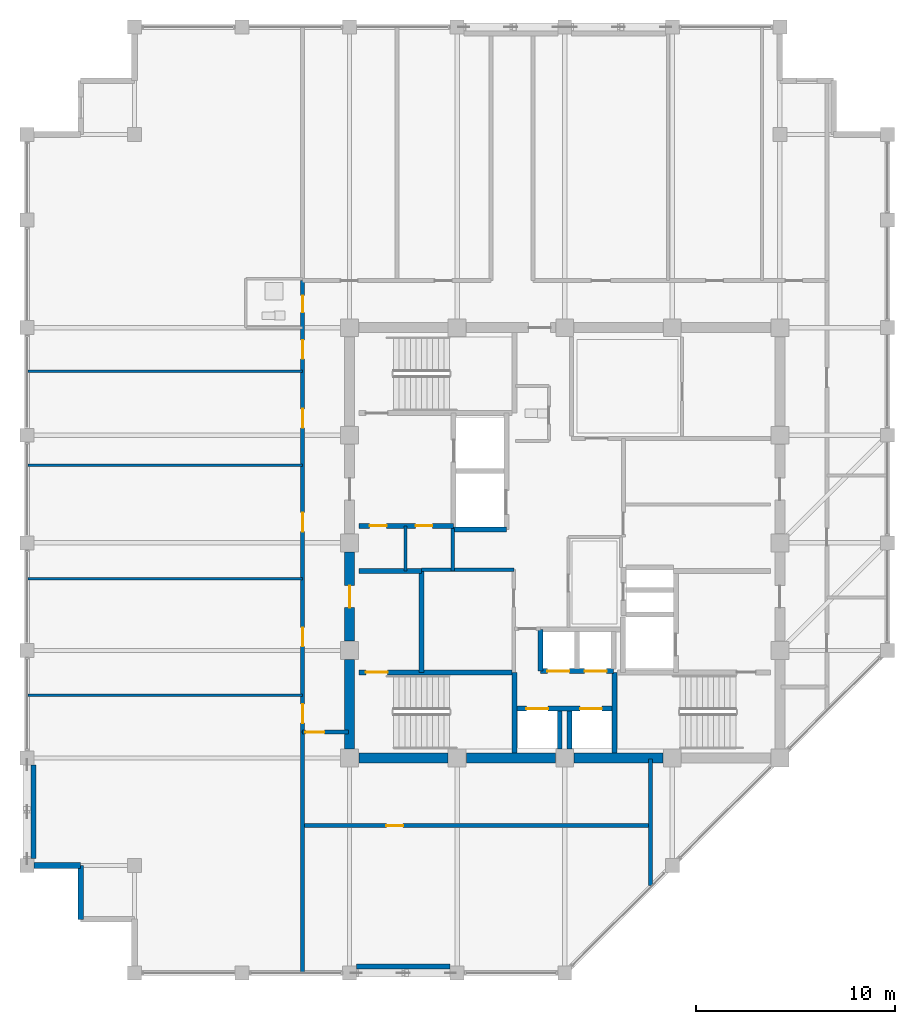
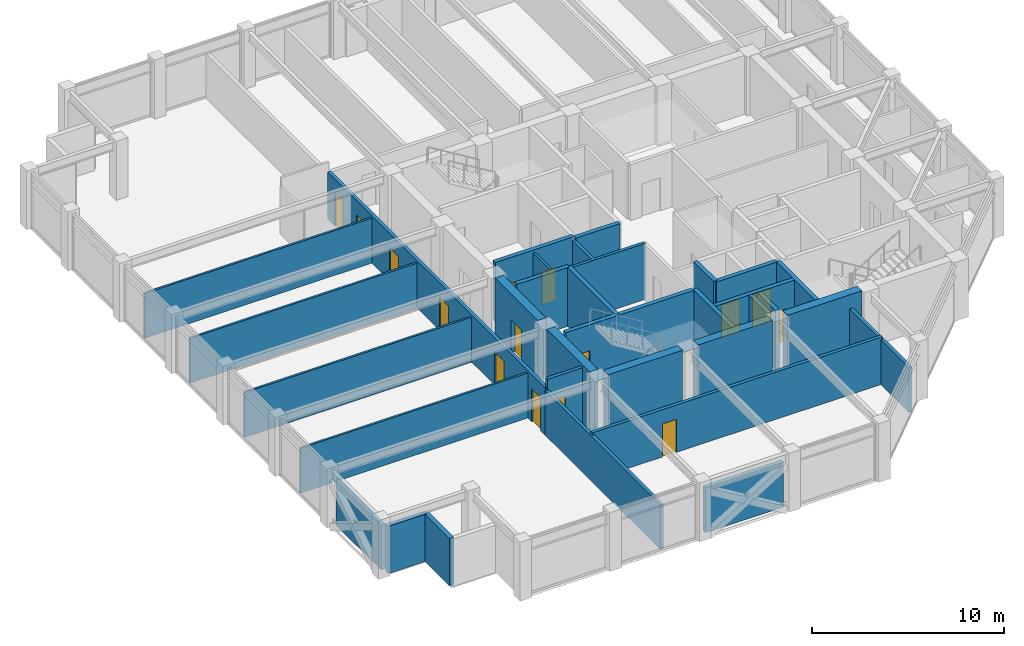
# One storey, part 26 of 31: 33 walls, 16 doors, 16 openings.
"""IFC4 building model written with IfcOpenShell, lengths in metres."""

from ifc_helpers import new_model, si_unit, direction, frame, frame_2d, origin, place, context, subcontext, project, spatial, rectangle, extrude, material, layer, layer_set, type_object, element, fill, save


model = new_model("IFC4")

# Units and contexts
model_context = context("Model", 3, precision=1e-05, world=origin(), true_north=direction((0.0, 1.0)))
body_context = subcontext(model_context, "Body", "Model", "MODEL_VIEW")
ifc_project = project(units=[si_unit("LENGTHUNIT", "METRE"), si_unit("AREAUNIT", "SQUARE_METRE"), si_unit("VOLUMEUNIT", "CUBIC_METRE"), si_unit("PLANEANGLEUNIT", "RADIAN"), si_unit("MASSUNIT", "GRAM", prefix="KILO")], contexts=[model_context])

# Site, building, storey
site_placement = place(None, origin())
site = spatial("IfcSite", under=ifc_project, at=site_placement, CompositionType="ELEMENT")
building_placement = place(site_placement, origin())
building = spatial("IfcBuilding", under=site, at=building_placement, Name="Surkhivell Harbour Commons", CompositionType="ELEMENT")
storey_placement = place(building_placement, frame((0.0, 0.0, 288.75)))
storey = spatial("IfcBuildingStorey", under=building, at=storey_placement, Name="L75", CompositionType="ELEMENT", Elevation=288.75)

# Walls
ifc_material_1 = material(Name="Concrete C50/60", Category="concrete")
ifc_layer_1 = layer(ifc_material_1, 0.5)
ifc_layer_set_1 = layer_set([ifc_layer_1], Name="Concrete C50/60")
wall_type_1 = type_object("IfcWallType", Name="WAL-CORE-500", PredefinedType="SHEAR", material=ifc_layer_set_1)
for number, where, z_axis, x_axis, name in (
    (1, (-10.340087890625, -10.800048828125, 0.0), (0.0, 0.0, 1.0), (1.0, 0.0, 0.0), "L75 Core Shear Wall South 1"),
    (2, (-10.800048828125, -10.340087890625, 0.0), (0.0, 0.0, 1.0), (0.0, 1.0, 0.0), "L75 Core Shear Wall West 1"),
    (3, (-4.93994140625, -10.800048828125, 0.0), (0.0, 0.0, 1.0), (1.0, 0.0, 0.0), "L75 Core Shear Wall South 2"),
):
    element("IfcWall", number, at=place(storey_placement, frame(where, z_axis=z_axis, x_axis=x_axis)), inside=storey, type_object=wall_type_1, Name=name, PredefinedType="SHEAR", context=body_context, shape_type="SweptSolid", body=[
        extrude(rectangle(XDim=4.47998046875, YDim=0.5, at=frame_2d((2.239990234375, 0.0))), origin(), (0.0, 0.0, 1.0), 3.75),
    ])

# Wall, opening, door
wall_1_placement = place(storey_placement, frame((-10.800048828125, -4.93994140625, 0.0), z_axis=(0.0, 0.0, 1.0), x_axis=(0.0, 1.0, 0.0)))
wall_1 = element("IfcWall", 4, at=wall_1_placement, inside=storey, type_object=wall_type_1, Name="L75 Core Shear Wall West 2", PredefinedType="SHEAR", context=body_context, shape_type="SweptSolid", body=[
    extrude(rectangle(XDim=4.47998046875, YDim=0.5, at=frame_2d((2.239990234375, 0.0))), origin(), (0.0, 0.0, 1.0), 3.75),
])
opening_1_placement = place(wall_1_placement, frame((1.68994140625, 0.0, 0.0)))
opening_1 = element("IfcOpeningElement", 5, at=opening_1_placement, cuts=wall_1, Name="Opening ID-2", PredefinedType="OPENING", context=body_context, shape_type="SweptSolid", body=[
    extrude(rectangle(XDim=1.10009765625, YDim=2.10009765625, at=frame_2d((0.550048828125, 1.050048828125))), frame((0.0, 0.260009765625, 0.0), z_axis=(0.0, -1.0, 0.0), x_axis=(1.0, 0.0, 0.0)), (0.0, 0.0, 1.0), 0.52001953125),
])
ifc_material_2 = material(Name="Hardwood-veneered fire-rated door leaf", Category="wood")
door_type_1 = type_object("IfcDoorType", Name="DOR-FD60-1100", OperationType="NOTDEFINED", PredefinedType="DOOR", material=ifc_material_2)
door_1_placement = place(opening_1_placement, origin())
door_1 = element("IfcDoor", 6, at=door_1_placement, inside=storey, type_object=door_type_1, Name="L75 Stair 3 Lobby Corridor Door", OperationType="SINGLE_SWING_LEFT", OverallHeight=2.10009765625, OverallWidth=1.10009765625, PredefinedType="DOOR", context=body_context, shape_type="SweptSolid", body=[
    extrude(rectangle(XDim=1.10009765625, YDim=2.10009765625, at=frame_2d((0.550048828125, 1.050048828125))), frame((0.0, 0.02490234375, 0.0), z_axis=(0.0, -1.0, 0.0), x_axis=(1.0, 0.0, 0.0)), (0.0, 0.0, 1.0), 0.050048828125),
])
fill(opening_1, door_1)

# Walls
wall_2_placement = place(storey_placement, frame((0.4599609375, -10.800048828125, 0.0), z_axis=(0.0, 0.0, 1.0), x_axis=(1.0, 0.0, 0.0)))
element("IfcWall", 7, at=wall_2_placement, inside=storey, type_object=wall_type_1, Name="L75 Core Shear Wall South 3", PredefinedType="SHEAR", context=body_context, shape_type="SweptSolid", body=[
    extrude(rectangle(XDim=4.47998046875, YDim=0.5, at=frame_2d((2.239990234375, 0.0))), origin(), (0.0, 0.0, 1.0), 3.75),
])
ifc_material_3 = material(Name="Pale-metal insulated precast concrete C45/55", Category="concrete")
ifc_layer_2 = layer(ifc_material_3, 0.260009765625)
ifc_layer_set_2 = layer_set([ifc_layer_2], Name="Pale-metal insulated precast concrete C45/55")
wall_type_2 = type_object("IfcWallType", Name="WAL-EXT-MTL260", PredefinedType="STANDARD", material=ifc_layer_set_2)
wall_3_placement = place(storey_placement, frame((-10.451904296875, -21.264892578125, 0.0), z_axis=(0.0, 0.0, 1.0), x_axis=(1.0, 0.0, 0.0)))
element("IfcWall", 8, at=wall_3_placement, inside=storey, type_object=wall_type_2, Name="L75 Braced-Bay Insulated Spandrel Backing S", PredefinedType="STANDARD", context=body_context, shape_type="SweptSolid", body=[
    extrude(rectangle(XDim=4.703857421875, YDim=0.260009765625, at=frame_2d((2.35205078125, 0.0))), origin(), (0.0, 0.0, 1.0), 2.85693359375),
])
wall_4_placement = place(storey_placement, frame((-26.6650390625, -11.14794921875, 0.0), z_axis=(0.0, 0.0, 1.0), x_axis=(0.0, -1.0, 0.0)))
element("IfcWall", 9, at=wall_4_placement, inside=storey, type_object=wall_type_2, Name="L75 Braced-Bay Insulated Spandrel Backing W", PredefinedType="STANDARD", context=body_context, shape_type="SweptSolid", body=[
    extrude(rectangle(XDim=4.7041015625, YDim=0.260009765625, at=frame_2d((2.35205078125, 0.0))), origin(), (0.0, 0.0, 1.0), 2.85693359375),
])
ifc_material_4 = material(Name="Terracotta-clad reinforced concrete C45/55", Category="masonry")
ifc_layer_3 = layer(ifc_material_4, 0.280029296875)
ifc_layer_set_3 = layer_set([ifc_layer_3], Name="Terracotta-clad reinforced concrete C45/55")
wall_type_3 = type_object("IfcWallType", Name="WAL-EXT-TER280", PredefinedType="STANDARD", material=ifc_layer_set_3)
wall_5_placement = place(storey_placement, frame((-26.652099609375, -16.199951171875, 0.0), z_axis=(0.0, 0.0, 1.0), x_axis=(1.0, 0.0, 0.0)))
element("IfcWall", 10, at=wall_5_placement, inside=storey, type_object=wall_type_3, Name="L75 Serrated Corner Facade Wall 13", PredefinedType="STANDARD", context=body_context, shape_type="SweptSolid", body=[
    extrude(rectangle(XDim=2.35205078125, YDim=0.280029296875, at=frame_2d((1.176025390625, 0.0))), origin(), (0.0, 0.0, 1.0), 3.012939453125),
])
wall_6_placement = place(storey_placement, frame((-24.300048828125, -16.199951171875, 0.0), z_axis=(0.0, 0.0, 1.0), x_axis=(0.0, -1.0, 0.0)))
element("IfcWall", 11, at=wall_6_placement, inside=storey, type_object=wall_type_3, Name="L75 Serrated Corner Facade Wall 14", PredefinedType="STANDARD", context=body_context, shape_type="SweptSolid", body=[
    extrude(rectangle(XDim=2.699951171875, YDim=0.280029296875, at=frame_2d((1.35009765625, 0.0))), origin(), (0.0, 0.0, 1.0), 3.012939453125),
])
ifc_material_5 = material(Name="Moisture-resistant acoustic stud partition", Category="other")
ifc_layer_4 = layer(ifc_material_5, 0.125)
ifc_layer_set_4 = layer_set([ifc_layer_4], Name="Moisture-resistant acoustic stud partition")
wall_type_4 = type_object("IfcWallType", Name="WAL-INT-125", PredefinedType="PARTITIONING", material=ifc_layer_set_4)
for number, where, z_axis, x_axis, name in (
    (12, (-26.93994140625, -1.800048828125, 0.0), (0.0, 0.0, 1.0), (1.0, 0.0, 0.0), "L75 West Partition BDP1"),
    (13, (-26.93994140625, 3.889892578125, 0.0), (0.0, 0.0, 1.0), (1.0, 0.0, 0.0), "L75 West Partition BDP2"),
    (14, (-26.93994140625, -7.64990234375, 0.0), (0.0, 0.0, 1.0), (1.0, 0.0, 0.0), "L75 West Partition PBOT"),
    (15, (-26.93994140625, 8.610107421875, 0.0), (0.0, 0.0, 1.0), (1.0, 0.0, 0.0), "L75 West Partition PTOP"),
):
    element("IfcWall", number, at=place(storey_placement, frame(where, z_axis=z_axis, x_axis=x_axis)), inside=storey, type_object=wall_type_4, Name=name, PredefinedType="PARTITIONING", context=body_context, shape_type="SweptSolid", body=[
        extrude(rectangle(XDim=13.780029296875, YDim=0.125, at=frame_2d((6.89013671875, 0.0))), origin(), (0.0, 0.0, 1.0), 2.85693359375),
    ])
ifc_material_6 = material(Name="Twin-stud acoustic fireboard partition", Category="other")
ifc_layer_5 = layer(ifc_material_6, 0.14990234375)
ifc_layer_set_5 = layer_set([ifc_layer_5], Name="Twin-stud acoustic fireboard partition")
wall_type_5 = type_object("IfcWallType", Name="WAL-INT-150", PredefinedType="PARTITIONING", material=ifc_layer_set_5)
wall_7_placement = place(storey_placement, frame((-8.0, -1.419921875, 0.0), z_axis=(0.0, 0.0, 1.0), x_axis=(0.0, 1.0, 0.0)))
element("IfcWall", 16, at=wall_7_placement, inside=storey, type_object=wall_type_5, Name="L75 West Core Cut D1", PredefinedType="PARTITIONING", context=body_context, shape_type="SweptSolid", body=[
    extrude(rectangle(XDim=2.27001953125, YDim=0.14990234375, at=frame_2d((1.135009765625, 0.0))), origin(), (0.0, 0.0, 1.0), 3.570068359375),
])
ifc_material_7 = material(Name="High-density acoustic blockwork fire partition", Category="masonry")
ifc_layer_6 = layer(ifc_material_7, 0.175048828125)
ifc_layer_set_6 = layer_set([ifc_layer_6], Name="High-density acoustic blockwork fire partition")
wall_type_6 = type_object("IfcWallType", Name="WAL-INT-175", PredefinedType="PARTITIONING", material=ifc_layer_set_6)
wall_8_placement = place(storey_placement, frame((-7.179931640625, -1.35009765625, 0.0), z_axis=(0.0, 0.0, 1.0), x_axis=(1.0, 0.0, 0.0)))
element("IfcWall", 17, at=wall_8_placement, inside=storey, type_object=wall_type_6, Name="L75 Core Service Bay North Wall", PredefinedType="PARTITIONING", context=body_context, shape_type="SweptSolid", body=[
    extrude(rectangle(XDim=4.6298828125, YDim=0.175048828125, at=frame_2d((2.31494140625, 0.0))), origin(), (0.0, 0.0, 1.0), 3.570068359375),
])
wall_9_placement = place(storey_placement, frame((-5.6201171875, -1.419921875, 0.0), z_axis=(0.0, 0.0, 1.0), x_axis=(0.0, 1.0, 0.0)))
element("IfcWall", 18, at=wall_9_placement, inside=storey, type_object=wall_type_6, Name="L75 West Core Bay East Wall", PredefinedType="PARTITIONING", context=body_context, shape_type="SweptSolid", body=[
    extrude(rectangle(XDim=2.139892578125, YDim=0.175048828125, at=frame_2d((1.06982421875, 0.0))), origin(), (0.0, 0.0, 1.0), 3.570068359375),
])
ifc_material_8 = material(Name="Autoclaved aerated concrete blockwork and fire plaster", Category="masonry")
ifc_layer_7 = layer(ifc_material_8, 0.199951171875)
ifc_layer_set_7 = layer_set([ifc_layer_7], Name="Autoclaved aerated concrete blockwork and fire plaster")
wall_type_7 = type_object("IfcWallType", Name="WAL-INT-200", PredefinedType="PARTITIONING", material=ifc_layer_set_7)
wall_10_placement = place(storey_placement, frame((4.300048828125, -17.215087890625, 0.0), z_axis=(0.0, 0.0, 1.0), x_axis=(0.0, 1.0, 0.0)))
element("IfcWall", 19, at=wall_10_placement, inside=storey, type_object=wall_type_7, Name="L75 South Hall East Wall", PredefinedType="PARTITIONING", context=body_context, shape_type="SweptSolid", body=[
    extrude(rectangle(XDim=6.364990234375, YDim=0.199951171875, at=frame_2d((3.1826171875, 0.0))), origin(), (0.0, 0.0, 1.0), 2.85693359375),
])

# Wall, opening, door
wall_11_placement = place(storey_placement, frame((-13.159912109375, -14.199951171875, 0.0), z_axis=(0.0, 0.0, 1.0), x_axis=(1.0, 0.0, 0.0)))
wall_11 = element("IfcWall", 20, at=wall_11_placement, inside=storey, type_object=wall_type_7, Name="L75 South Wing Horizontal Partition", PredefinedType="PARTITIONING", context=body_context, shape_type="SweptSolid", body=[
    extrude(rectangle(XDim=17.4599609375, YDim=0.199951171875, at=frame_2d((8.72998046875, 0.0))), origin(), (0.0, 0.0, 1.0), 3.012939453125),
])
opening_2_placement = place(wall_11_placement, frame((4.199951171875, 0.0, 0.0)))
opening_2 = element("IfcOpeningElement", 21, at=opening_2_placement, cuts=wall_11, Name="Opening ID-6", PredefinedType="OPENING", context=body_context, shape_type="SweptSolid", body=[
    extrude(rectangle(XDim=0.85009765625, YDim=2.10009765625, at=frame_2d((0.425048828125, 1.050048828125))), frame((0.0, 0.10986328125, 0.0), z_axis=(0.0, -1.0, 0.0), x_axis=(1.0, 0.0, 0.0)), (0.0, 0.0, 1.0), 0.219970703125),
])
door_type_2 = type_object("IfcDoorType", Name="DOR-FD30-850", OperationType="NOTDEFINED", PredefinedType="DOOR", material=ifc_material_2)
door_2_placement = place(opening_2_placement, origin())
door_2 = element("IfcDoor", 22, at=door_2_placement, inside=storey, type_object=door_type_2, Name="L75 South Music Door", OperationType="SINGLE_SWING_LEFT", OverallHeight=2.10009765625, OverallWidth=0.85009765625, PredefinedType="DOOR", context=body_context, shape_type="SweptSolid", body=[
    extrude(rectangle(XDim=0.85009765625, YDim=2.10009765625, at=frame_2d((0.425048828125, 1.050048828125))), frame((0.0, 0.02490234375, 0.0), z_axis=(0.0, -1.0, 0.0), x_axis=(1.0, 0.0, 0.0)), (0.0, 0.0, 1.0), 0.050048828125),
])
fill(opening_2, door_2)

# Wall
wall_12_placement = place(storey_placement, frame((-13.159912109375, -21.5400390625, 0.0), z_axis=(0.0, 0.0, 1.0), x_axis=(0.0, 1.0, 0.0)))
element("IfcWall", 23, at=wall_12_placement, inside=storey, type_object=wall_type_7, Name="L75 South Hall West Divider", PredefinedType="PARTITIONING", context=body_context, shape_type="SweptSolid", body=[
    extrude(rectangle(XDim=12.0400390625, YDim=0.199951171875, at=frame_2d((6.02001953125, 0.0))), origin(), (0.0, 0.0, 1.0), 2.85693359375),
])

# Wall, openings, doors
wall_13_placement = place(storey_placement, frame((-13.159912109375, -9.5, 0.0), z_axis=(0.0, 0.0, 1.0), x_axis=(0.0, 1.0, 0.0)))
wall_13 = element("IfcWall", 24, at=wall_13_placement, inside=storey, type_object=wall_type_7, Name="L75 West Corridor Wall", PredefinedType="PARTITIONING", context=body_context, shape_type="SweptSolid", body=[
    extrude(rectangle(XDim=22.659912109375, YDim=0.199951171875, at=frame_2d((11.330078125, 0.0))), origin(), (0.0, 0.0, 1.0), 3.012939453125),
])
opening_3_placement = place(wall_13_placement, frame((0.445068359375, 0.0, 0.0)))
opening_3 = element("IfcOpeningElement", 25, at=opening_3_placement, cuts=wall_13, Name="Opening ID-4", PredefinedType="OPENING", context=body_context, shape_type="SweptSolid", body=[
    extrude(rectangle(XDim=0.949951171875, YDim=2.10009765625, at=frame_2d((0.47509765625, 1.050048828125))), frame((0.0, 0.10986328125, 0.0), z_axis=(0.0, -1.0, 0.0), x_axis=(1.0, 0.0, 0.0)), (0.0, 0.0, 1.0), 0.219970703125),
])
opening_4_placement = place(wall_13_placement, frame((21.06494140625, 0.0, 0.0)))
opening_4 = element("IfcOpeningElement", 26, at=opening_4_placement, cuts=wall_13, Name="Opening ID-6", PredefinedType="OPENING", context=body_context, shape_type="SweptSolid", body=[
    extrude(rectangle(XDim=0.85009765625, YDim=2.10009765625, at=frame_2d((0.425048828125, 1.050048828125))), frame((0.0, 0.10986328125, 0.0), z_axis=(0.0, -1.0, 0.0), x_axis=(1.0, 0.0, 0.0)), (0.0, 0.0, 1.0), 0.219970703125),
])
opening_5_placement = place(wall_13_placement, frame((18.72998046875, 0.0, 0.0)))
opening_5 = element("IfcOpeningElement", 27, at=opening_5_placement, cuts=wall_13, Name="Opening ID-4", PredefinedType="OPENING", context=body_context, shape_type="SweptSolid", body=[
    extrude(rectangle(XDim=0.949951171875, YDim=2.10009765625, at=frame_2d((0.47509765625, 1.050048828125))), frame((0.0, 0.10986328125, 0.0), z_axis=(0.0, -1.0, 0.0), x_axis=(1.0, 0.0, 0.0)), (0.0, 0.0, 1.0), 0.219970703125),
])
opening_6_placement = place(wall_13_placement, frame((4.294921875, 0.0, 0.0)))
opening_6 = element("IfcOpeningElement", 28, at=opening_6_placement, cuts=wall_13, Name="Opening ID-4", PredefinedType="OPENING", context=body_context, shape_type="SweptSolid", body=[
    extrude(rectangle(XDim=0.949951171875, YDim=2.10009765625, at=frame_2d((0.47509765625, 1.050048828125))), frame((0.0, 0.10986328125, 0.0), z_axis=(0.0, -1.0, 0.0), x_axis=(1.0, 0.0, 0.0)), (0.0, 0.0, 1.0), 0.219970703125),
])
opening_7_placement = place(wall_13_placement, frame((10.06494140625, 0.0, 0.0)))
opening_7 = element("IfcOpeningElement", 29, at=opening_7_placement, cuts=wall_13, Name="Opening ID-4", PredefinedType="OPENING", context=body_context, shape_type="SweptSolid", body=[
    extrude(rectangle(XDim=0.949951171875, YDim=2.10009765625, at=frame_2d((0.47509765625, 1.050048828125))), frame((0.0, 0.10986328125, 0.0), z_axis=(0.0, -1.0, 0.0), x_axis=(1.0, 0.0, 0.0)), (0.0, 0.0, 1.0), 0.219970703125),
])
opening_8_placement = place(wall_13_placement, frame((15.27001953125, 0.0, 0.0)))
opening_8 = element("IfcOpeningElement", 30, at=opening_8_placement, cuts=wall_13, Name="Opening ID-4", PredefinedType="OPENING", context=body_context, shape_type="SweptSolid", body=[
    extrude(rectangle(XDim=0.949951171875, YDim=2.10009765625, at=frame_2d((0.47509765625, 1.050048828125))), frame((0.0, 0.10986328125, 0.0), z_axis=(0.0, -1.0, 0.0), x_axis=(1.0, 0.0, 0.0)), (0.0, 0.0, 1.0), 0.219970703125),
])
door_3_placement = place(opening_4_placement, origin())
door_3 = element("IfcDoor", 31, at=door_3_placement, inside=storey, type_object=door_type_2, Name="L75 Communal Shower Bathroom West Door", OperationType="SINGLE_SWING_RIGHT", OverallHeight=2.10009765625, OverallWidth=0.85009765625, PredefinedType="DOOR", context=body_context, shape_type="SweptSolid", body=[
    extrude(rectangle(XDim=0.85009765625, YDim=2.10009765625, at=frame_2d((0.425048828125, 1.050048828125))), frame((0.0, 0.02490234375, 0.0), z_axis=(0.0, -1.0, 0.0), x_axis=(1.0, 0.0, 0.0)), (0.0, 0.0, 1.0), 0.050048828125),
])
fill(opening_4, door_3)
door_type_3 = type_object("IfcDoorType", Name="DOR-FD60-950", OperationType="NOTDEFINED", PredefinedType="DOOR", material=ifc_material_2)
door_4_placement = place(opening_3_placement, origin())
door_4 = element("IfcDoor", 32, at=door_4_placement, inside=storey, type_object=door_type_3, Name="L75 Shared Communal Kitchen West Door", OperationType="SINGLE_SWING_LEFT", OverallHeight=2.10009765625, OverallWidth=0.949951171875, PredefinedType="DOOR", context=body_context, shape_type="SweptSolid", body=[
    extrude(rectangle(XDim=0.949951171875, YDim=2.10009765625, at=frame_2d((0.47509765625, 1.050048828125))), frame((0.0, 0.02490234375, 0.0), z_axis=(0.0, -1.0, 0.0), x_axis=(1.0, 0.0, 0.0)), (0.0, 0.0, 1.0), 0.050048828125),
])
fill(opening_3, door_4)
door_5_placement = place(opening_5_placement, origin())
door_5 = element("IfcDoor", 33, at=door_5_placement, inside=storey, type_object=door_type_3, Name="L75 Academic Reading Commons West Door", OperationType="SINGLE_SWING_LEFT", OverallHeight=2.10009765625, OverallWidth=0.949951171875, PredefinedType="DOOR", context=body_context, shape_type="SweptSolid", body=[
    extrude(rectangle(XDim=0.949951171875, YDim=2.10009765625, at=frame_2d((0.47509765625, 1.050048828125))), frame((0.0, 0.02490234375, 0.0), z_axis=(0.0, -1.0, 0.0), x_axis=(1.0, 0.0, 0.0)), (0.0, 0.0, 1.0), 0.050048828125),
])
fill(opening_5, door_5)
door_6_placement = place(opening_6_placement, origin())
door_6 = element("IfcDoor", 34, at=door_6_placement, inside=storey, type_object=door_type_3, Name="L75 Hostel Cluster Bedroom 1 West Door", OperationType="SINGLE_SWING_RIGHT", OverallHeight=2.10009765625, OverallWidth=0.949951171875, PredefinedType="DOOR", context=body_context, shape_type="SweptSolid", body=[
    extrude(rectangle(XDim=0.949951171875, YDim=2.10009765625, at=frame_2d((0.47509765625, 1.050048828125))), frame((0.0, 0.02490234375, 0.0), z_axis=(0.0, -1.0, 0.0), x_axis=(1.0, 0.0, 0.0)), (0.0, 0.0, 1.0), 0.050048828125),
])
fill(opening_6, door_6)
door_7_placement = place(opening_7_placement, origin())
door_7 = element("IfcDoor", 35, at=door_7_placement, inside=storey, type_object=door_type_3, Name="L75 Co-Living Dormitory Bedroom 2 West Door", OperationType="SINGLE_SWING_LEFT", OverallHeight=2.10009765625, OverallWidth=0.949951171875, PredefinedType="DOOR", context=body_context, shape_type="SweptSolid", body=[
    extrude(rectangle(XDim=0.949951171875, YDim=2.10009765625, at=frame_2d((0.47509765625, 1.050048828125))), frame((0.0, 0.02490234375, 0.0), z_axis=(0.0, -1.0, 0.0), x_axis=(1.0, 0.0, 0.0)), (0.0, 0.0, 1.0), 0.050048828125),
])
fill(opening_7, door_7)
door_8_placement = place(opening_8_placement, origin())
door_8 = element("IfcDoor", 36, at=door_8_placement, inside=storey, type_object=door_type_3, Name="L75 Hostel Cluster Bedroom 3 West Door", OperationType="SINGLE_SWING_RIGHT", OverallHeight=2.10009765625, OverallWidth=0.949951171875, PredefinedType="DOOR", context=body_context, shape_type="SweptSolid", body=[
    extrude(rectangle(XDim=0.949951171875, YDim=2.10009765625, at=frame_2d((0.47509765625, 1.050048828125))), frame((0.0, 0.02490234375, 0.0), z_axis=(0.0, -1.0, 0.0), x_axis=(1.0, 0.0, 0.0)), (0.0, 0.0, 1.0), 0.050048828125),
])
fill(opening_8, door_8)

# Wall, opening, door
wall_14_placement = place(storey_placement, frame((-13.159912109375, -9.5, 0.0), z_axis=(0.0, 0.0, 1.0), x_axis=(1.0, 0.0, 0.0)))
wall_14 = element("IfcWall", 37, at=wall_14_placement, inside=storey, type_object=wall_type_7, Name="L75 West Corridor South Portal Wall", PredefinedType="PARTITIONING", context=body_context, shape_type="SweptSolid", body=[
    extrude(rectangle(XDim=2.309814453125, YDim=0.199951171875, at=frame_2d((1.15478515625, 0.0))), origin(), (0.0, 0.0, 1.0), 3.570068359375),
])
opening_9_placement = place(wall_14_placement, frame((0.139892578125, 0.0, 0.0)))
opening_9 = element("IfcOpeningElement", 38, at=opening_9_placement, cuts=wall_14, Name="Opening ID-4", PredefinedType="OPENING", context=body_context, shape_type="SweptSolid", body=[
    extrude(rectangle(XDim=0.949951171875, YDim=2.10009765625, at=frame_2d((0.47509765625, 1.050048828125))), frame((0.0, 0.10986328125, 0.0), z_axis=(0.0, -1.0, 0.0), x_axis=(1.0, 0.0, 0.0)), (0.0, 0.0, 1.0), 0.219970703125),
])
door_9_placement = place(opening_9_placement, origin())
door_9 = element("IfcDoor", 39, at=door_9_placement, inside=storey, type_object=door_type_3, Name="L75 South Dining Door", OperationType="SINGLE_SWING_RIGHT", OverallHeight=2.10009765625, OverallWidth=0.949951171875, PredefinedType="DOOR", context=body_context, shape_type="SweptSolid", body=[
    extrude(rectangle(XDim=0.949951171875, YDim=2.10009765625, at=frame_2d((0.47509765625, 1.050048828125))), frame((0.0, 0.02490234375, 0.0), z_axis=(0.0, -1.0, 0.0), x_axis=(1.0, 0.0, 0.0)), (0.0, 0.0, 1.0), 0.050048828125),
])
fill(opening_9, door_9)

# Wall, openings, doors
ifc_layer_8 = layer(ifc_material_1, 0.25)
ifc_layer_set_8 = layer_set([ifc_layer_8], Name="Concrete C50/60")
wall_type_8 = type_object("IfcWallType", Name="WAL-SHAFT-250", PredefinedType="SHEAR", material=ifc_layer_set_8)
wall_15_placement = place(storey_placement, frame((-10.340087890625, 0.85009765625, 0.0), z_axis=(0.0, 0.0, 1.0), x_axis=(1.0, 0.0, 0.0)))
wall_15 = element("IfcWall", 40, at=wall_15_placement, inside=storey, type_object=wall_type_8, Name="L75 Firefighting Lobby 1 South Wall", PredefinedType="SHEAR", context=body_context, shape_type="SweptSolid", body=[
    extrude(rectangle(XDim=4.760009765625, YDim=0.25, at=frame_2d((2.3798828125, 0.0))), origin(), (0.0, 0.0, 1.0), 3.75),
])
opening_10_placement = place(wall_15_placement, frame((0.550048828125, 0.0, 0.0)))
opening_10 = element("IfcOpeningElement", 41, at=opening_10_placement, cuts=wall_15, Name="Opening ID-6", PredefinedType="OPENING", context=body_context, shape_type="SweptSolid", body=[
    extrude(rectangle(XDim=0.85009765625, YDim=2.10009765625, at=frame_2d((0.425048828125, 1.050048828125))), frame((0.0, 0.135009765625, 0.0), z_axis=(0.0, -1.0, 0.0), x_axis=(1.0, 0.0, 0.0)), (0.0, 0.0, 1.0), 0.27001953125),
])
opening_11_placement = place(wall_15_placement, frame((2.85009765625, 0.0, 0.0)))
opening_11 = element("IfcOpeningElement", 42, at=opening_11_placement, cuts=wall_15, Name="Opening ID-6", PredefinedType="OPENING", context=body_context, shape_type="SweptSolid", body=[
    extrude(rectangle(XDim=0.85009765625, YDim=2.10009765625, at=frame_2d((0.425048828125, 1.050048828125))), frame((0.0, 0.135009765625, 0.0), z_axis=(0.0, -1.0, 0.0), x_axis=(1.0, 0.0, 0.0)), (0.0, 0.0, 1.0), 0.27001953125),
])
door_10_placement = place(opening_10_placement, origin())
door_10 = element("IfcDoor", 43, at=door_10_placement, inside=storey, type_object=door_type_2, Name="L75 West Seminar Pod Door", OperationType="SINGLE_SWING_LEFT", OverallHeight=2.10009765625, OverallWidth=0.85009765625, PredefinedType="DOOR", context=body_context, shape_type="SweptSolid", body=[
    extrude(rectangle(XDim=0.85009765625, YDim=2.10009765625, at=frame_2d((0.425048828125, 1.050048828125))), frame((0.0, 0.02490234375, 0.0), z_axis=(0.0, -1.0, 0.0), x_axis=(1.0, 0.0, 0.0)), (0.0, 0.0, 1.0), 0.050048828125),
])
fill(opening_10, door_10)
door_11_placement = place(opening_11_placement, origin())
door_11 = element("IfcDoor", 44, at=door_11_placement, inside=storey, type_object=door_type_2, Name="L75 West Reading Pod Door", OperationType="SINGLE_SWING_RIGHT", OverallHeight=2.10009765625, OverallWidth=0.85009765625, PredefinedType="DOOR", context=body_context, shape_type="SweptSolid", body=[
    extrude(rectangle(XDim=0.85009765625, YDim=2.10009765625, at=frame_2d((0.425048828125, 1.050048828125))), frame((0.0, 0.02490234375, 0.0), z_axis=(0.0, -1.0, 0.0), x_axis=(1.0, 0.0, 0.0)), (0.0, 0.0, 1.0), 0.050048828125),
])
fill(opening_11, door_11)

# Walls
for number, where, z_axis, x_axis, name in (
    (45, (-0.25, -10.35009765625, 0.0), (0.0, 0.0, 1.0), (0.0, 1.0, 0.0), "L75 High-Rise Side Wall S"),
    (46, (0.25, -10.35009765625, 0.0), (0.0, 0.0, 1.0), (0.0, 1.0, 0.0), "L75 High-Rise Side Wall S"),
):
    element("IfcWall", number, at=place(storey_placement, frame(where, z_axis=z_axis, x_axis=x_axis)), inside=storey, type_object=wall_type_8, Name=name, PredefinedType="SHEAR", context=body_context, shape_type="SweptSolid", body=[
        extrude(rectangle(XDim=1.91015625, YDim=0.25, at=frame_2d((0.955078125, 0.0))), origin(), (0.0, 0.0, 1.0), 3.75),
    ])
wall_16_placement = place(storey_placement, frame((-1.219970703125, -6.43994140625, 0.0), z_axis=(0.0, 0.0, 1.0), x_axis=(0.0, 1.0, 0.0)))
element("IfcWall", 47, at=wall_16_placement, inside=storey, type_object=wall_type_8, Name="L75 High-Rise Passage East Shaft Wall", PredefinedType="SHEAR", context=body_context, shape_type="SweptSolid", body=[
    extrude(rectangle(XDim=2.079833984375, YDim=0.25, at=frame_2d((1.0400390625, 0.0))), origin(), (0.0, 0.0, 1.0), 3.75),
])

# Wall, openings, doors
wall_17_placement = place(storey_placement, frame((-1.219970703125, -6.43994140625, 0.0), z_axis=(0.0, 0.0, 1.0), x_axis=(1.0, 0.0, 0.0)))
wall_17 = element("IfcWall", 48, at=wall_17_placement, inside=storey, type_object=wall_type_8, Name="L75 High-Rise North Front Shaft Wall", PredefinedType="SHEAR", context=body_context, shape_type="SweptSolid", body=[
    extrude(rectangle(XDim=3.669921875, YDim=0.25, at=frame_2d((1.8349609375, 0.0))), origin(), (0.0, 0.0, 1.0), 3.75),
])
opening_12_placement = place(wall_17_placement, frame((0.35009765625, 0.0, 0.0)))
opening_12 = element("IfcOpeningElement", 49, at=opening_12_placement, cuts=wall_17, Name="Opening LD-1", PredefinedType="OPENING", context=body_context, shape_type="SweptSolid", body=[
    extrude(rectangle(XDim=1.10009765625, YDim=2.10009765625, at=frame_2d((0.550048828125, 1.050048828125))), frame((0.0, 0.135009765625, 0.0), z_axis=(0.0, -1.0, 0.0), x_axis=(1.0, 0.0, 0.0)), (0.0, 0.0, 1.0), 0.27001953125),
])
opening_13_placement = place(wall_17_placement, frame((2.219970703125, 0.0, 0.0)))
opening_13 = element("IfcOpeningElement", 50, at=opening_13_placement, cuts=wall_17, Name="Opening LD-1", PredefinedType="OPENING", context=body_context, shape_type="SweptSolid", body=[
    extrude(rectangle(XDim=1.10009765625, YDim=2.10009765625, at=frame_2d((0.550048828125, 1.050048828125))), frame((0.0, 0.135009765625, 0.0), z_axis=(0.0, -1.0, 0.0), x_axis=(1.0, 0.0, 0.0)), (0.0, 0.0, 1.0), 0.27001953125),
])
ifc_material_9 = material(Name="Brushed stainless steel S355", Category="steel")
door_type_4 = type_object("IfcDoorType", Name="DOR-LD-1100", OperationType="SLIDING_TO_LEFT", PredefinedType="DOOR", material=ifc_material_9)
door_12_placement = place(opening_12_placement, origin())
door_12 = element("IfcDoor", 51, at=door_12_placement, inside=storey, type_object=door_type_4, Name="L75 Lift Landing Door LD-PH1", OperationType="SLIDING_TO_LEFT", OverallHeight=2.10009765625, OverallWidth=1.10009765625, PredefinedType="DOOR", context=body_context, shape_type="SweptSolid", body=[
    extrude(rectangle(XDim=1.10009765625, YDim=2.10009765625, at=frame_2d((0.550048828125, 1.050048828125))), frame((0.0, 0.02490234375, 0.0), z_axis=(0.0, -1.0, 0.0), x_axis=(1.0, 0.0, 0.0)), (0.0, 0.0, 1.0), 0.050048828125),
])
fill(opening_12, door_12)
door_13_placement = place(opening_13_placement, origin())
door_13 = element("IfcDoor", 52, at=door_13_placement, inside=storey, type_object=door_type_4, Name="L75 Lift Landing Door LD-PH2", OperationType="SLIDING_TO_LEFT", OverallHeight=2.10009765625, OverallWidth=1.10009765625, PredefinedType="DOOR", context=body_context, shape_type="SweptSolid", body=[
    extrude(rectangle(XDim=1.10009765625, YDim=2.10009765625, at=frame_2d((0.550048828125, 1.050048828125))), frame((0.0, 0.02490234375, 0.0), z_axis=(0.0, -1.0, 0.0), x_axis=(1.0, 0.0, 0.0)), (0.0, 0.0, 1.0), 0.050048828125),
])
fill(opening_13, door_13)

wall_18_placement = place(storey_placement, frame((-2.47998046875, -8.320068359375, 0.0), z_axis=(0.0, 0.0, 1.0), x_axis=(1.0, 0.0, 0.0)))
wall_18 = element("IfcWall", 53, at=wall_18_placement, inside=storey, type_object=wall_type_8, Name="L75 High-Rise South Front Shaft Wall", PredefinedType="SHEAR", context=body_context, shape_type="SweptSolid", body=[
    extrude(rectangle(XDim=4.929931640625, YDim=0.25, at=frame_2d((2.46484375, 0.0))), origin(), (0.0, 0.0, 1.0), 3.75),
])
opening_14_placement = place(wall_18_placement, frame((0.550048828125, 0.0, 0.0)))
opening_14 = element("IfcOpeningElement", 54, at=opening_14_placement, cuts=wall_18, Name="Opening LD-1", PredefinedType="OPENING", context=body_context, shape_type="SweptSolid", body=[
    extrude(rectangle(XDim=1.10009765625, YDim=2.10009765625, at=frame_2d((0.550048828125, 1.050048828125))), frame((0.0, 0.135009765625, 0.0), z_axis=(0.0, -1.0, 0.0), x_axis=(1.0, 0.0, 0.0)), (0.0, 0.0, 1.0), 0.27001953125),
])
opening_15_placement = place(wall_18_placement, frame((3.25, 0.0, 0.0)))
opening_15 = element("IfcOpeningElement", 55, at=opening_15_placement, cuts=wall_18, Name="Opening LD-1", PredefinedType="OPENING", context=body_context, shape_type="SweptSolid", body=[
    extrude(rectangle(XDim=1.10009765625, YDim=2.10009765625, at=frame_2d((0.550048828125, 1.050048828125))), frame((0.0, 0.135009765625, 0.0), z_axis=(0.0, -1.0, 0.0), x_axis=(1.0, 0.0, 0.0)), (0.0, 0.0, 1.0), 0.27001953125),
])
door_14_placement = place(opening_14_placement, origin())
door_14 = element("IfcDoor", 56, at=door_14_placement, inside=storey, type_object=door_type_4, Name="L75 Lift Landing Door LD-PH3", OperationType="SLIDING_TO_LEFT", OverallHeight=2.10009765625, OverallWidth=1.10009765625, PredefinedType="DOOR", context=body_context, shape_type="SweptSolid", body=[
    extrude(rectangle(XDim=1.10009765625, YDim=2.10009765625, at=frame_2d((0.550048828125, 1.050048828125))), frame((0.0, 0.02490234375, 0.0), z_axis=(0.0, -1.0, 0.0), x_axis=(1.0, 0.0, 0.0)), (0.0, 0.0, 1.0), 0.050048828125),
])
fill(opening_14, door_14)
door_15_placement = place(opening_15_placement, origin())
door_15 = element("IfcDoor", 57, at=door_15_placement, inside=storey, type_object=door_type_4, Name="L75 Lift Landing Door LD-PH4", OperationType="SLIDING_TO_LEFT", OverallHeight=2.10009765625, OverallWidth=1.10009765625, PredefinedType="DOOR", context=body_context, shape_type="SweptSolid", body=[
    extrude(rectangle(XDim=1.10009765625, YDim=2.10009765625, at=frame_2d((0.550048828125, 1.050048828125))), frame((0.0, 0.02490234375, 0.0), z_axis=(0.0, -1.0, 0.0), x_axis=(1.0, 0.0, 0.0)), (0.0, 0.0, 1.0), 0.050048828125),
])
fill(opening_15, door_15)

# Walls
for number, where, z_axis, x_axis, name in (
    (58, (2.510009765625, -10.550048828125, 0.0), (0.0, 0.0, 1.0), (0.0, 1.0, 0.0), "L75 Stair ST2 West Shear Wall"),
    (59, (-2.510009765625, -10.550048828125, 0.0), (0.0, 0.0, 1.0), (0.0, 1.0, 0.0), "L75 Stair ST3 East Shear Wall"),
):
    element("IfcWall", number, at=place(storey_placement, frame(where, z_axis=z_axis, x_axis=x_axis)), inside=storey, type_object=wall_type_8, Name=name, PredefinedType="SHEAR", context=body_context, shape_type="SweptSolid", body=[
        extrude(rectangle(XDim=4.0400390625, YDim=0.25, at=frame_2d((2.02001953125, 0.0))), origin(), (0.0, 0.0, 1.0), 3.75),
    ])
wall_19_placement = place(storey_placement, frame((-7.179931640625, -6.510009765625, 0.0), z_axis=(0.0, 0.0, 1.0), x_axis=(0.0, 1.0, 0.0)))
element("IfcWall", 60, at=wall_19_placement, inside=storey, type_object=wall_type_8, Name="L75 Stair 3 Lobby East Wall", PredefinedType="SHEAR", context=body_context, shape_type="SweptSolid", body=[
    extrude(rectangle(XDim=5.090087890625, YDim=0.25, at=frame_2d((2.544921875, 0.0))), origin(), (0.0, 0.0, 1.0), 3.75),
])
wall_20_placement = place(storey_placement, frame((-10.340087890625, -1.419921875, 0.0), z_axis=(0.0, 0.0, 1.0), x_axis=(1.0, 0.0, 0.0)))
element("IfcWall", 61, at=wall_20_placement, inside=storey, type_object=wall_type_8, Name="L75 Stair 3 Lobby North Wall", PredefinedType="SHEAR", context=body_context, shape_type="SweptSolid", body=[
    extrude(rectangle(XDim=3.16015625, YDim=0.25, at=frame_2d((1.580078125, 0.0))), origin(), (0.0, 0.0, 1.0), 3.75),
])

# Wall, opening, door
wall_21_placement = place(storey_placement, frame((-10.340087890625, -6.510009765625, 0.0), z_axis=(0.0, 0.0, 1.0), x_axis=(1.0, 0.0, 0.0)))
wall_21 = element("IfcWall", 62, at=wall_21_placement, inside=storey, type_object=wall_type_8, Name="L75 Stair ST3 North Shear Wall", PredefinedType="SHEAR", context=body_context, shape_type="SweptSolid", body=[
    extrude(rectangle(XDim=7.7001953125, YDim=0.25, at=frame_2d((3.85009765625, 0.0))), origin(), (0.0, 0.0, 1.0), 3.75),
])
opening_16_placement = place(wall_21_placement, frame((0.35009765625, 0.0, 0.0)))
opening_16 = element("IfcOpeningElement", 63, at=opening_16_placement, cuts=wall_21, Name="Opening ID-2", PredefinedType="OPENING", context=body_context, shape_type="SweptSolid", body=[
    extrude(rectangle(XDim=1.10009765625, YDim=2.10009765625, at=frame_2d((0.550048828125, 1.050048828125))), frame((0.0, 0.135009765625, 0.0), z_axis=(0.0, -1.0, 0.0), x_axis=(1.0, 0.0, 0.0)), (0.0, 0.0, 1.0), 0.27001953125),
])
door_16_placement = place(opening_16_placement, origin())
door_16 = element("IfcDoor", 64, at=door_16_placement, inside=storey, type_object=door_type_1, Name="L75 Stair ST3 Exit Door", OperationType="SINGLE_SWING_RIGHT", OverallHeight=2.10009765625, OverallWidth=1.10009765625, PredefinedType="DOOR", context=body_context, shape_type="SweptSolid", body=[
    extrude(rectangle(XDim=1.10009765625, YDim=2.10009765625, at=frame_2d((0.550048828125, 1.050048828125))), frame((0.0, 0.02490234375, 0.0), z_axis=(0.0, -1.0, 0.0), x_axis=(1.0, 0.0, 0.0)), (0.0, 0.0, 1.0), 0.050048828125),
])
fill(opening_16, door_16)

# Wall
wall_22_placement = place(storey_placement, frame((-5.580078125, 0.679931640625, 0.0), z_axis=(0.0, 0.0, 1.0), x_axis=(1.0, 0.0, 0.0)))
element("IfcWall", 65, at=wall_22_placement, inside=storey, type_object=wall_type_8, Name="L75 SVL1 South Shaft Wall", PredefinedType="SHEAR", context=body_context, shape_type="SweptSolid", body=[
    extrude(rectangle(XDim=2.650146484375, YDim=0.25, at=frame_2d((1.3251953125, 0.0))), origin(), (0.0, 0.0, 1.0), 3.75),
])

save(model, "model.ifc")
